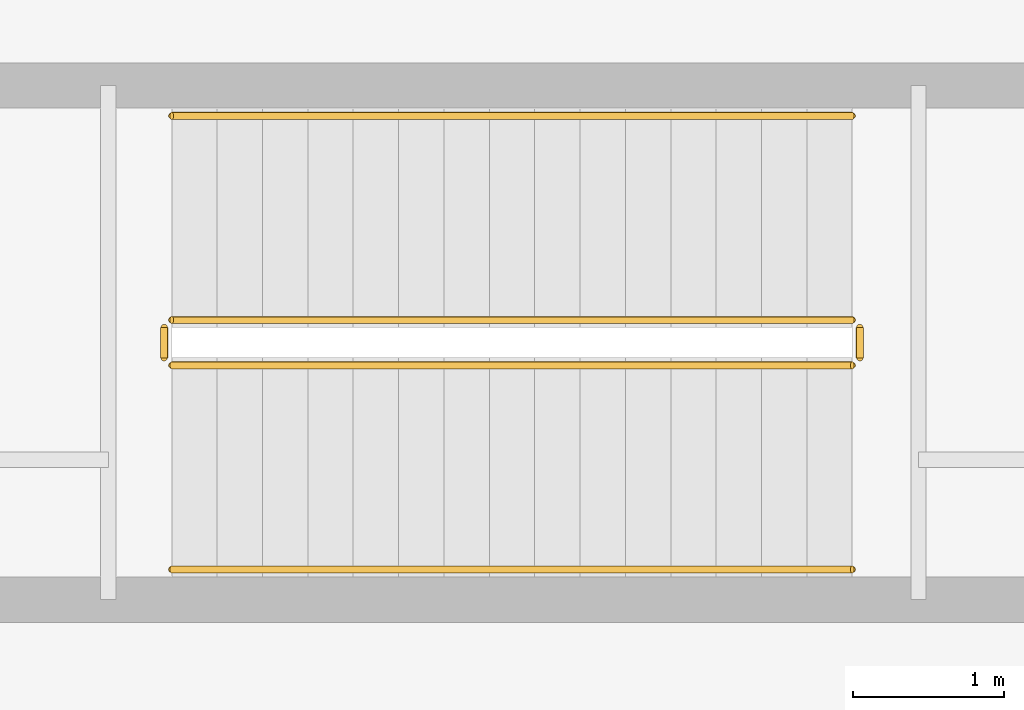
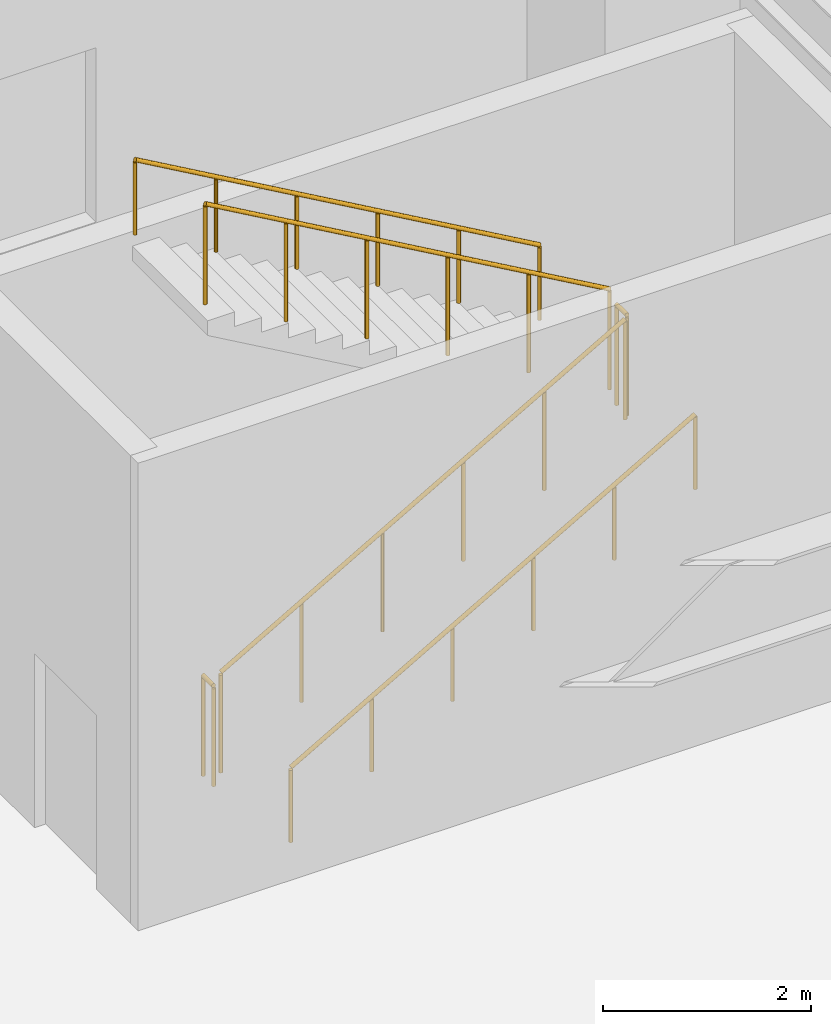
# One storey, part 34 of 34: 6 railings.
"""IFC4 building model written with IfcOpenShell, lengths in metres."""

from ifc_helpers import new_model, si_unit, direction, frame, origin, origin_2d, place, context, subcontext, project, spatial, circle, extrude, material, type_object, element, save


model = new_model("IFC4")

# Units and contexts
model_context = context("Model", 3, precision=1e-05, world=origin(), true_north=direction((0.0, 1.0)))
body_context = subcontext(model_context, "Body", "Model", "MODEL_VIEW")
ifc_project = project(units=[si_unit("LENGTHUNIT", "METRE"), si_unit("AREAUNIT", "SQUARE_METRE"), si_unit("VOLUMEUNIT", "CUBIC_METRE"), si_unit("PLANEANGLEUNIT", "RADIAN"), si_unit("MASSUNIT", "GRAM", prefix="KILO")], contexts=[model_context])

# Site, building, storey
site_placement = place(None, origin())
site = spatial("IfcSite", under=ifc_project, at=site_placement, CompositionType="ELEMENT")
building_placement = place(site_placement, origin())
building = spatial("IfcBuilding", under=site, at=building_placement, Name="Qiaolan Cultural Towers", CompositionType="ELEMENT")
storey_placement = place(building_placement, frame((0.0, 0.0, 16.5)))
storey = spatial("IfcBuildingStorey", under=building, at=storey_placement, Name="L03", CompositionType="ELEMENT", Elevation=16.5)

# Railings
ifc_material_1 = material(Name="Galvanized Painted Steel Stair Guardrail", Category="steel")
railing_type_1 = type_object("IfcRailingType", Name="RL-STAIR-GRD", PredefinedType="GUARDRAIL", material=ifc_material_1)
railing_1_placement = place(storey_placement, frame((110.0, 59.60009765625, 0.171875)))
element("IfcRailing", 1, at=railing_1_placement, inside=storey, type_object=railing_type_1, Name="L03 ST-P2 stair guard 1", PredefinedType="GUARDRAIL", context=body_context, shape_type="SweptSolid", body=[
    extrude(circle(Radius=0.02392578125, at=origin_2d()), frame((0.0, 0.0, 1.17578125), z_axis=(0.867686387293, 0.0, 0.49711199272), x_axis=(0.0, 1.0, 0.0)), (0.0, 0.0, 1.0), 5.186279296875),
    extrude(circle(Radius=0.02099609375, at=origin_2d()), origin(), (0.0, 0.0, 1.0), 1.15185546875),
    extrude(circle(Radius=0.02099609375, at=origin_2d()), frame((0.89990234375, 0.0, 0.515625)), (0.0, 0.0, 1.0), 1.15185546875),
    extrude(circle(Radius=0.02099609375, at=origin_2d()), frame((1.800048828125, 0.0, 1.03125)), (0.0, 0.0, 1.0), 1.15185546875),
    extrude(circle(Radius=0.02099609375, at=origin_2d()), frame((2.699951171875, 0.0, 1.546875)), (0.0, 0.0, 1.0), 1.15185546875),
    extrude(circle(Radius=0.02099609375, at=origin_2d()), frame((3.60009765625, 0.0, 2.0625)), (0.0, 0.0, 1.0), 1.15185546875),
    extrude(circle(Radius=0.02099609375, at=origin_2d()), frame((4.5, 0.0, 2.578125)), (0.0, 0.0, 1.0), 1.15185546875),
])
railing_2_placement = place(storey_placement, frame((114.550048828125, 59.64990234375, 2.75)))
element("IfcRailing", 2, at=railing_2_placement, inside=storey, type_object=railing_type_1, Name="L03 ST-P2 stair guard 2", PredefinedType="GUARDRAIL", context=body_context, shape_type="SweptSolid", body=[
    extrude(circle(Radius=0.02392578125, at=origin_2d()), frame((0.0, 0.0, 1.17578125), z_axis=(0.0, 1.0, 0.0), x_axis=(-1.0, 0.0, 0.0)), (0.0, 0.0, 1.0), 0.2001953125),
    extrude(circle(Radius=0.02099609375, at=origin_2d()), origin(), (0.0, 0.0, 1.0), 1.15185546875),
    extrude(circle(Radius=0.02099609375, at=origin_2d()), frame((0.0, 0.2001953125, 0.0)), (0.0, 0.0, 1.0), 1.15185546875),
])
railing_3_placement = place(storey_placement, frame((114.5, 59.89990234375, 2.921875)))
element("IfcRailing", 3, at=railing_3_placement, inside=storey, type_object=railing_type_1, Name="L03 ST-P2 stair guard 3", PredefinedType="GUARDRAIL", context=body_context, shape_type="SweptSolid", body=[
    extrude(circle(Radius=0.02392578125, at=origin_2d()), frame((0.0, 0.0, 1.17578125), z_axis=(-0.867686387293, 0.0, 0.49711199272), x_axis=(0.0, -1.0, 0.0)), (0.0, 0.0, 1.0), 5.186279296875),
    extrude(circle(Radius=0.02099609375, at=origin_2d()), origin(), (0.0, 0.0, 1.0), 1.15185546875),
    extrude(circle(Radius=0.02099609375, at=origin_2d()), frame((-0.89990234375, 0.0, 0.515625)), (0.0, 0.0, 1.0), 1.15185546875),
    extrude(circle(Radius=0.02099609375, at=origin_2d()), frame((-1.800048828125, 0.0, 1.03125)), (0.0, 0.0, 1.0), 1.15185546875),
    extrude(circle(Radius=0.02099609375, at=origin_2d()), frame((-2.699951171875, 0.0, 1.546875)), (0.0, 0.0, 1.0), 1.15185546875),
    extrude(circle(Radius=0.02099609375, at=origin_2d()), frame((-3.60009765625, 0.0, 2.0625)), (0.0, 0.0, 1.0), 1.15185546875),
    extrude(circle(Radius=0.02099609375, at=origin_2d()), frame((-4.5, 0.0, 2.578125)), (0.0, 0.0, 1.0), 1.15185546875),
])
railing_4_placement = place(storey_placement, frame((109.949951171875, 59.64990234375, 0.0)))
element("IfcRailing", 4, at=railing_4_placement, inside=storey, type_object=railing_type_1, Name="L03 ST-P2 stair guard 4", PredefinedType="GUARDRAIL", context=body_context, shape_type="SweptSolid", body=[
    extrude(circle(Radius=0.02392578125, at=origin_2d()), frame((0.0, 0.0, 1.17578125), z_axis=(0.0, 1.0, 0.0), x_axis=(-1.0, 0.0, 0.0)), (0.0, 0.0, 1.0), 0.2001953125),
    extrude(circle(Radius=0.02099609375, at=origin_2d()), origin(), (0.0, 0.0, 1.0), 1.15185546875),
    extrude(circle(Radius=0.02099609375, at=origin_2d()), frame((0.0, 0.2001953125, 0.0)), (0.0, 0.0, 1.0), 1.15185546875),
])
ifc_material_2 = material(Name="Stainless Steel S30408 Tubular Handrail", Category="steel")
railing_type_2 = type_object("IfcRailingType", Name="RL-STAIR-HR", PredefinedType="HANDRAIL", material=ifc_material_2)
railing_5_placement = place(storey_placement, frame((110.0, 58.25, 0.171875)))
element("IfcRailing", 5, at=railing_5_placement, inside=storey, type_object=railing_type_2, Name="L03 ST-P2 stair handrail 1", PredefinedType="HANDRAIL", context=body_context, shape_type="SweptSolid", body=[
    extrude(circle(Radius=0.02392578125, at=origin_2d()), frame((0.0, 0.0, 0.8759765625), z_axis=(0.867686387293, 0.0, 0.49711199272), x_axis=(0.0, 1.0, 0.0)), (0.0, 0.0, 1.0), 5.186279296875),
    extrude(circle(Radius=0.02099609375, at=origin_2d()), origin(), (0.0, 0.0, 1.0), 0.851806640625),
    extrude(circle(Radius=0.02099609375, at=origin_2d()), frame((0.89990234375, 0.0, 0.515625)), (0.0, 0.0, 1.0), 0.851806640625),
    extrude(circle(Radius=0.02099609375, at=origin_2d()), frame((1.800048828125, 0.0, 1.03125)), (0.0, 0.0, 1.0), 0.851806640625),
    extrude(circle(Radius=0.02099609375, at=origin_2d()), frame((2.699951171875, 0.0, 1.546875)), (0.0, 0.0, 1.0), 0.851806640625),
    extrude(circle(Radius=0.02099609375, at=origin_2d()), frame((3.60009765625, 0.0, 2.0625)), (0.0, 0.0, 1.0), 0.851806640625),
    extrude(circle(Radius=0.02099609375, at=origin_2d()), frame((4.5, 0.0, 2.578125)), (0.0, 0.0, 1.0), 0.851806640625),
])
railing_6_placement = place(storey_placement, frame((114.5, 61.25, 2.921875)))
element("IfcRailing", 6, at=railing_6_placement, inside=storey, type_object=railing_type_2, Name="L03 ST-P2 stair handrail 2", PredefinedType="HANDRAIL", context=body_context, shape_type="SweptSolid", body=[
    extrude(circle(Radius=0.02392578125, at=origin_2d()), frame((0.0, 0.0, 0.8759765625), z_axis=(-0.867686387293, 0.0, 0.49711199272), x_axis=(0.0, -1.0, 0.0)), (0.0, 0.0, 1.0), 5.186279296875),
    extrude(circle(Radius=0.02099609375, at=origin_2d()), origin(), (0.0, 0.0, 1.0), 0.851806640625),
    extrude(circle(Radius=0.02099609375, at=origin_2d()), frame((-0.89990234375, 0.0, 0.515625)), (0.0, 0.0, 1.0), 0.851806640625),
    extrude(circle(Radius=0.02099609375, at=origin_2d()), frame((-1.800048828125, 0.0, 1.03125)), (0.0, 0.0, 1.0), 0.851806640625),
    extrude(circle(Radius=0.02099609375, at=origin_2d()), frame((-2.699951171875, 0.0, 1.546875)), (0.0, 0.0, 1.0), 0.851806640625),
    extrude(circle(Radius=0.02099609375, at=origin_2d()), frame((-3.60009765625, 0.0, 2.0625)), (0.0, 0.0, 1.0), 0.851806640625),
    extrude(circle(Radius=0.02099609375, at=origin_2d()), frame((-4.5, 0.0, 2.578125)), (0.0, 0.0, 1.0), 0.851806640625),
])

save(model, "model.ifc")
